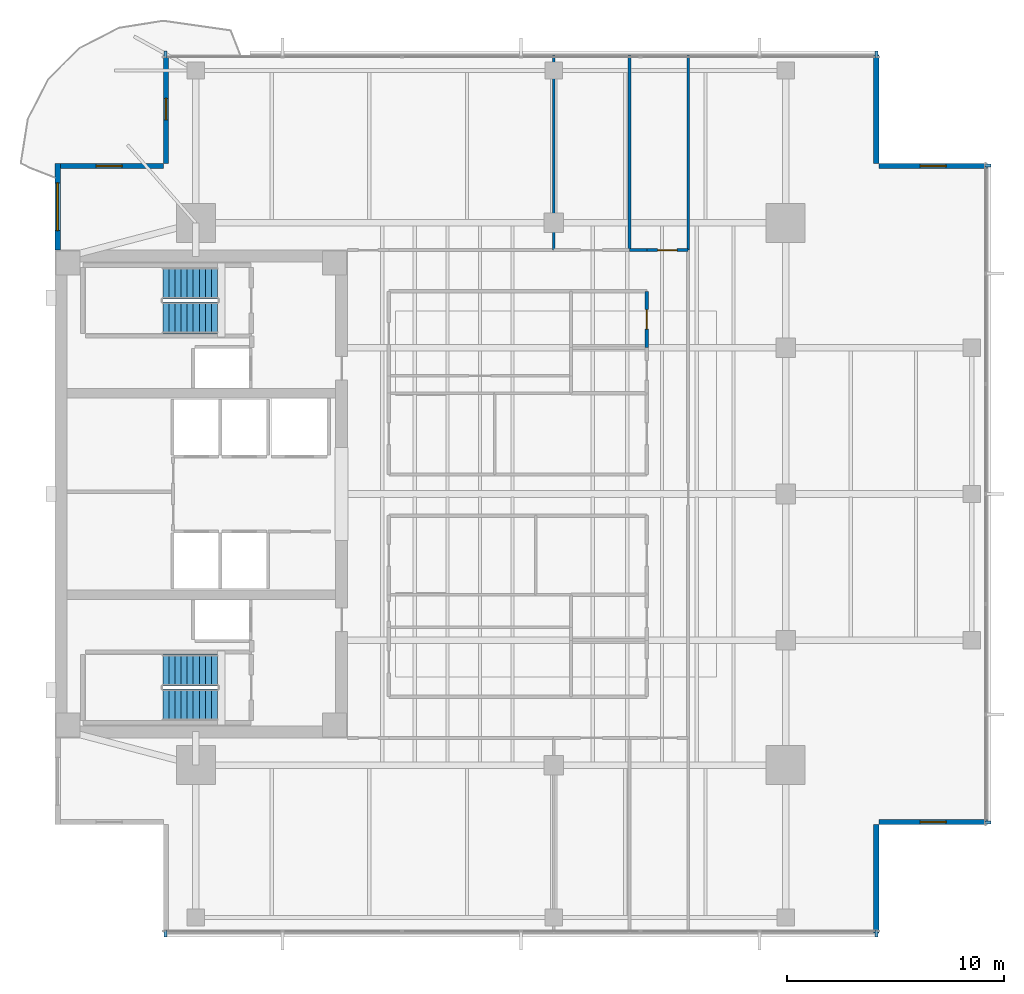
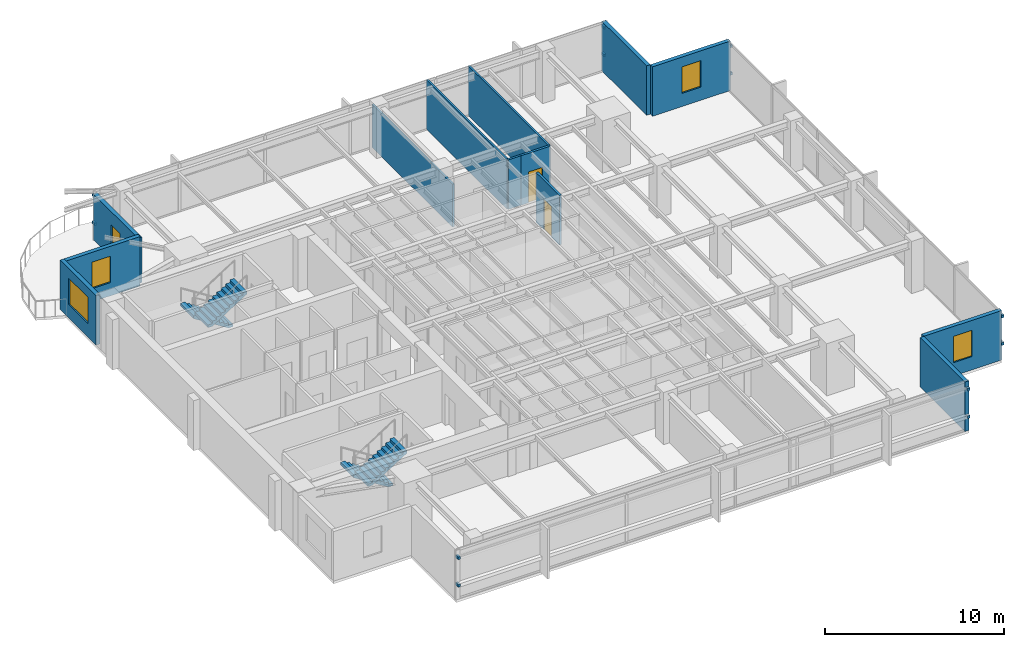
# One storey, part 10 of 15: 13 walls, 12 discrete accessories, 4 stair flights, 4 windows, 3 doors, 7 openings, 2 elements without a shape of their own.
"""IFC4 building model written with IfcOpenShell, lengths in metres."""

from ifc_helpers import new_model, si_unit, direction, frame, frame_2d, origin, origin_2d, place, context, subcontext, project, spatial, polyline, rectangle, outline, extrude, material, layer, layer_set, type_object, element, fill, aggregate, save


model = new_model("IFC4")

# Units and contexts
model_context = context("Model", 3, precision=1e-05, world=origin(), true_north=direction((0.0, 1.0)))
body_context = subcontext(model_context, "Body", "Model", "MODEL_VIEW")
ifc_project = project(units=[si_unit("LENGTHUNIT", "METRE"), si_unit("AREAUNIT", "SQUARE_METRE"), si_unit("VOLUMEUNIT", "CUBIC_METRE"), si_unit("PLANEANGLEUNIT", "RADIAN"), si_unit("MASSUNIT", "GRAM", prefix="KILO")], contexts=[model_context])

# Site, building, storey
site_placement = place(None, origin())
site = spatial("IfcSite", under=ifc_project, at=site_placement, CompositionType="ELEMENT")
building_placement = place(site_placement, origin())
building = spatial("IfcBuilding", under=site, at=building_placement, Name="Kinhvarn Gate Tower", CompositionType="ELEMENT")
storey_placement = place(building_placement, frame((0.0, 0.0, 220.0)))
storey = spatial("IfcBuildingStorey", under=building, at=storey_placement, Name="L58", CompositionType="ELEMENT", Elevation=220.0)

# Wall, opening, window
ifc_material_1 = material(Name="Fired architectural terracotta", Category="masonry")
ifc_layer_1 = layer(ifc_material_1, 0.25)
ifc_layer_set_1 = layer_set([ifc_layer_1], Name="Fired architectural terracotta")
wall_type_1 = type_object("IfcWallType", Name="WL-EXT-250", PredefinedType="SOLIDWALL", material=ifc_layer_set_1)
wall_1_placement = place(storey_placement, frame((4.625, 40.5, 0.0), z_axis=(0.0, 0.0, 1.0), x_axis=(0.0, -1.0, 0.0)))
wall_1 = element("IfcWall", 1, at=wall_1_placement, inside=storey, type_object=wall_type_1, Name="Exterior Solidwall Wall EW-250 (L58 West-North)", PredefinedType="SOLIDWALL", context=body_context, shape_type="SweptSolid", body=[
    extrude(rectangle(XDim=4.0, YDim=0.25, at=frame_2d((2.0, 0.0))), origin(), (0.0, 0.0, 1.0), 3.3701171875),
])
opening_1_placement = place(wall_1_placement, frame((0.89990234375, 0.0, 0.89990234375)))
opening_1 = element("IfcOpeningElement", 2, at=opening_1_placement, cuts=wall_1, Name="Opening WN-01", PredefinedType="OPENING", context=body_context, shape_type="SweptSolid", body=[
    extrude(rectangle(XDim=2.199951171875, YDim=1.800048828125, at=frame_2d((1.10009765625, 0.89990234375))), frame((0.0, 0.135009765625, 0.0), z_axis=(0.0, -1.0, 0.0), x_axis=(1.0, 0.0, 0.0)), (0.0, 0.0, 1.0), 0.27001953125),
])
ifc_material_2 = material(Name="Clear low-e double glazing", Category="glass")
window_type_1 = type_object("IfcWindowType", Name="WIN-RIB-2200", PartitioningType="SINGLE_PANEL", PredefinedType="WINDOW", material=ifc_material_2)
window_1_placement = place(opening_1_placement, origin())
window_1 = element("IfcWindow", 3, at=window_1_placement, inside=storey, type_object=window_type_1, Name="West Flank Double-Glazed Ribbon Window 2200x1800 mm (L58)", OverallHeight=1.800048828125, OverallWidth=2.199951171875, PartitioningType="SINGLE_PANEL", PredefinedType="WINDOW", context=body_context, shape_type="SweptSolid", body=[
    extrude(rectangle(XDim=2.199951171875, YDim=1.800048828125, at=frame_2d((1.10009765625, 0.89990234375))), frame((0.0, 0.030029296875, 0.0), z_axis=(0.0, -1.0, 0.0), x_axis=(1.0, 0.0, 0.0)), (0.0, 0.0, 1.0), 0.06005859375),
])
fill(opening_1, window_1)

# Wall
wall_2_placement = place(storey_placement, frame((42.375, 5.0, 0.0), z_axis=(0.0, 0.0, 1.0), x_axis=(0.0, 1.0, 0.0)))
element("IfcWall", 4, at=wall_2_placement, inside=storey, type_object=wall_type_1, Name="Exterior Solidwall Wall EW-250 (L58 SE-Notch-1)", PredefinedType="SOLIDWALL", context=body_context, shape_type="SweptSolid", body=[
    extrude(rectangle(XDim=5.0, YDim=0.25, at=frame_2d((2.5, 0.0))), origin(), (0.0, 0.0, 1.0), 3.3701171875),
])

# Wall, opening, window
wall_3_placement = place(storey_placement, frame((42.5, 10.125, 0.0), z_axis=(0.0, 0.0, 1.0), x_axis=(1.0, 0.0, 0.0)))
wall_3 = element("IfcWall", 5, at=wall_3_placement, inside=storey, type_object=wall_type_1, Name="Exterior Solidwall Wall EW-250 (L58 SE-Notch-2)", PredefinedType="SOLIDWALL", context=body_context, shape_type="SweptSolid", body=[
    extrude(rectangle(XDim=5.0, YDim=0.25, at=frame_2d((2.5, 0.0))), origin(), (0.0, 0.0, 1.0), 3.3701171875),
])
opening_2_placement = place(wall_3_placement, frame((1.89990234375, 0.0, 0.89990234375)))
opening_2 = element("IfcOpeningElement", 6, at=opening_2_placement, cuts=wall_3, Name="Opening WN-02", PredefinedType="OPENING", context=body_context, shape_type="SweptSolid", body=[
    extrude(rectangle(XDim=1.199951171875, YDim=1.800048828125, at=frame_2d((0.60009765625, 0.89990234375))), frame((0.0, 0.135009765625, 0.0), z_axis=(0.0, -1.0, 0.0), x_axis=(1.0, 0.0, 0.0)), (0.0, 0.0, 1.0), 0.27001953125),
])
window_type_2 = type_object("IfcWindowType", Name="WIN-NTC-1200", PartitioningType="SINGLE_PANEL", PredefinedType="WINDOW", material=ifc_material_2)
window_2_placement = place(opening_2_placement, origin())
window_2 = element("IfcWindow", 7, at=window_2_placement, inside=storey, type_object=window_type_2, Name="Recessed Corner Notch Punched Window 1200x1800 mm (L58)", OverallHeight=1.800048828125, OverallWidth=1.199951171875, PartitioningType="SINGLE_PANEL", PredefinedType="WINDOW", context=body_context, shape_type="SweptSolid", body=[
    extrude(rectangle(XDim=1.199951171875, YDim=1.800048828125, at=frame_2d((0.60009765625, 0.89990234375))), frame((0.0, 0.030029296875, 0.0), z_axis=(0.0, -1.0, 0.0), x_axis=(1.0, 0.0, 0.0)), (0.0, 0.0, 1.0), 0.06005859375),
])
fill(opening_2, window_2)

wall_4_placement = place(storey_placement, frame((47.5, 40.375, 0.0), z_axis=(0.0, 0.0, 1.0), x_axis=(-1.0, 0.0, 0.0)))
wall_4 = element("IfcWall", 8, at=wall_4_placement, inside=storey, type_object=wall_type_1, Name="Exterior Solidwall Wall EW-250 (L58 NE-Notch-1)", PredefinedType="SOLIDWALL", context=body_context, shape_type="SweptSolid", body=[
    extrude(rectangle(XDim=5.0, YDim=0.25, at=frame_2d((2.5, 0.0))), origin(), (0.0, 0.0, 1.0), 3.3701171875),
])
opening_3_placement = place(wall_4_placement, frame((1.89990234375, 0.0, 0.89990234375)))
opening_3 = element("IfcOpeningElement", 9, at=opening_3_placement, cuts=wall_4, Name="Opening WN-02", PredefinedType="OPENING", context=body_context, shape_type="SweptSolid", body=[
    extrude(rectangle(XDim=1.199951171875, YDim=1.800048828125, at=frame_2d((0.60009765625, 0.89990234375))), frame((0.0, 0.135009765625, 0.0), z_axis=(0.0, -1.0, 0.0), x_axis=(1.0, 0.0, 0.0)), (0.0, 0.0, 1.0), 0.27001953125),
])
window_3_placement = place(opening_3_placement, origin())
window_3 = element("IfcWindow", 10, at=window_3_placement, inside=storey, type_object=window_type_2, Name="Recessed Corner Notch Punched Window 1200x1800 mm (L58)", OverallHeight=1.800048828125, OverallWidth=1.199951171875, PartitioningType="SINGLE_PANEL", PredefinedType="WINDOW", context=body_context, shape_type="SweptSolid", body=[
    extrude(rectangle(XDim=1.199951171875, YDim=1.800048828125, at=frame_2d((0.60009765625, 0.89990234375))), frame((0.0, 0.030029296875, 0.0), z_axis=(0.0, -1.0, 0.0), x_axis=(1.0, 0.0, 0.0)), (0.0, 0.0, 1.0), 0.06005859375),
])
fill(opening_3, window_3)

# Wall
wall_5_placement = place(storey_placement, frame((42.375, 40.5, 0.0), z_axis=(0.0, 0.0, 1.0), x_axis=(0.0, 1.0, 0.0)))
element("IfcWall", 11, at=wall_5_placement, inside=storey, type_object=wall_type_1, Name="Exterior Solidwall Wall EW-250 (L58 NE-Notch-2)", PredefinedType="SOLIDWALL", context=body_context, shape_type="SweptSolid", body=[
    extrude(rectangle(XDim=5.0, YDim=0.25, at=frame_2d((2.5, 0.0))), origin(), (0.0, 0.0, 1.0), 3.3701171875),
])

# Wall, opening, door
wall_6_placement = place(storey_placement, frame((9.625, 45.5, 0.0), z_axis=(0.0, 0.0, 1.0), x_axis=(0.0, -1.0, 0.0)))
wall_6 = element("IfcWall", 12, at=wall_6_placement, inside=storey, type_object=wall_type_1, Name="Exterior Solidwall Wall EW-250 (L58 NW-Notch-Door)", PredefinedType="SOLIDWALL", context=body_context, shape_type="SweptSolid", body=[
    extrude(rectangle(XDim=5.0, YDim=0.25, at=frame_2d((2.5, 0.0))), origin(), (0.0, 0.0, 1.0), 3.10009765625),
])
opening_4_placement = place(wall_6_placement, frame((2.0, 0.0, 0.0)))
opening_4 = element("IfcOpeningElement", 13, at=opening_4_placement, cuts=wall_6, Name="Opening BD-01", PredefinedType="OPENING", context=body_context, shape_type="SweptSolid", body=[
    extrude(rectangle(XDim=1.0, YDim=2.199951171875, at=frame_2d((0.5, 1.10009765625))), frame((0.0, 0.135009765625, 0.0), z_axis=(0.0, -1.0, 0.0), x_axis=(1.0, 0.0, 0.0)), (0.0, 0.0, 1.0), 0.27001953125),
])
door_type_1 = type_object("IfcDoorType", Name="DR-BAL-1000", OperationType="NOTDEFINED", PredefinedType="DOOR", material=ifc_material_2)
door_1_placement = place(opening_4_placement, frame((1.0, 0.0, 0.0), z_axis=(0.0, 0.0, 1.0), x_axis=(-1.0, 0.0, 0.0)))
door_1 = element("IfcDoor", 14, at=door_1_placement, inside=storey, type_object=door_type_1, Name="S-Carve Balcony Door BD-01 (L58)", OperationType="SINGLE_SWING_RIGHT", OverallHeight=2.199951171875, OverallWidth=1.0, PredefinedType="DOOR", context=body_context, shape_type="SweptSolid", body=[
    extrude(rectangle(XDim=1.0, YDim=2.199951171875, at=frame_2d((0.5, 1.10009765625))), frame((0.0, 0.02490234375, 0.0), z_axis=(0.0, -1.0, 0.0), x_axis=(1.0, 0.0, 0.0)), (0.0, 0.0, 1.0), 0.050048828125),
])
fill(opening_4, door_1)

# Wall, opening, window
wall_7_placement = place(storey_placement, frame((9.5, 40.375, 0.0), z_axis=(0.0, 0.0, 1.0), x_axis=(-1.0, 0.0, 0.0)))
wall_7 = element("IfcWall", 15, at=wall_7_placement, inside=storey, type_object=wall_type_1, Name="Exterior Solidwall Wall EW-250 (L58 NW-Notch-Win)", PredefinedType="SOLIDWALL", context=body_context, shape_type="SweptSolid", body=[
    extrude(rectangle(XDim=5.0, YDim=0.25, at=frame_2d((2.5, 0.0))), origin(), (0.0, 0.0, 1.0), 3.3701171875),
])
opening_5_placement = place(wall_7_placement, frame((1.89990234375, 0.0, 0.89990234375)))
opening_5 = element("IfcOpeningElement", 16, at=opening_5_placement, cuts=wall_7, Name="Opening WN-02", PredefinedType="OPENING", context=body_context, shape_type="SweptSolid", body=[
    extrude(rectangle(XDim=1.199951171875, YDim=1.800048828125, at=frame_2d((0.60009765625, 0.89990234375))), frame((0.0, 0.135009765625, 0.0), z_axis=(0.0, -1.0, 0.0), x_axis=(1.0, 0.0, 0.0)), (0.0, 0.0, 1.0), 0.27001953125),
])
window_4_placement = place(opening_5_placement, origin())
window_4 = element("IfcWindow", 17, at=window_4_placement, inside=storey, type_object=window_type_2, Name="Recessed Corner Notch Punched Window 1200x1800 mm (L58)", OverallHeight=1.800048828125, OverallWidth=1.199951171875, PartitioningType="SINGLE_PANEL", PredefinedType="WINDOW", context=body_context, shape_type="SweptSolid", body=[
    extrude(rectangle(XDim=1.199951171875, YDim=1.800048828125, at=frame_2d((0.60009765625, 0.89990234375))), frame((0.0, 0.030029296875, 0.0), z_axis=(0.0, -1.0, 0.0), x_axis=(1.0, 0.0, 0.0)), (0.0, 0.0, 1.0), 0.06005859375),
])
fill(opening_5, window_4)

# Wall, opening, door
ifc_material_3 = material(Name="Gypsum acoustic partition board")
ifc_layer_2 = layer(ifc_material_3, 0.14990234375)
ifc_layer_set_2 = layer_set([ifc_layer_2], Name="Gypsum acoustic partition board")
wall_type_2 = type_object("IfcWallType", Name="WL-PLM-150F", PredefinedType="PLUMBINGWALL", material=ifc_layer_set_2)
wall_8_placement = place(storey_placement, frame((31.800048828125, 32.0, 0.0), z_axis=(0.0, 0.0, 1.0), x_axis=(0.0, 1.0, 0.0)))
wall_8 = element("IfcWall", 18, at=wall_8_placement, inside=storey, type_object=wall_type_2, Name="Interior Partition PLW-150F (L58)", PredefinedType="PLUMBINGWALL", context=body_context, shape_type="SweptSolid", body=[
    extrude(rectangle(XDim=2.60009765625, YDim=0.14990234375, at=frame_2d((1.300048828125, 0.0))), origin(), (0.0, 0.0, 1.0), 3.3701171875),
])
opening_6_placement = place(wall_8_placement, frame((0.85009765625, 0.0, 0.0)))
opening_6 = element("IfcOpeningElement", 19, at=opening_6_placement, cuts=wall_8, Name="Opening FD-04", PredefinedType="OPENING", context=body_context, shape_type="SweptSolid", body=[
    extrude(rectangle(XDim=0.89990234375, YDim=2.10009765625, at=frame_2d((0.449951171875, 1.050048828125))), frame((0.0, 0.0849609375, 0.0), z_axis=(0.0, -1.0, 0.0), x_axis=(1.0, 0.0, 0.0)), (0.0, 0.0, 1.0), 0.169921875),
])
ifc_material_4 = material(Name="Anodised aluminium AW-6063", Category="aluminium")
door_type_2 = type_object("IfcDoorType", Name="DR-FD-900", OperationType="NOTDEFINED", PredefinedType="DOOR", material=ifc_material_4)
door_2_placement = place(opening_6_placement, origin())
door_2 = element("IfcDoor", 20, at=door_2_placement, inside=storey, type_object=door_type_2, Name="Rated Riser & Service Closet Fire Door 900x2100 mm (L58)", OperationType="SINGLE_SWING_LEFT", OverallHeight=2.10009765625, OverallWidth=0.89990234375, PredefinedType="DOOR", context=body_context, shape_type="SweptSolid", body=[
    extrude(rectangle(XDim=0.89990234375, YDim=2.10009765625, at=frame_2d((0.449951171875, 1.050048828125))), frame((0.0, 0.02490234375, 0.0), z_axis=(0.0, -1.0, 0.0), x_axis=(1.0, 0.0, 0.0)), (0.0, 0.0, 1.0), 0.050048828125),
])
fill(opening_6, door_2)

# Walls
ifc_layer_3 = layer(ifc_material_3, 0.1201171875)
ifc_layer_set_3 = layer_set([ifc_layer_3], Name="Gypsum acoustic partition board")
wall_type_3 = type_object("IfcWallType", Name="WL-PRT-120", PredefinedType="PARTITIONING", material=ifc_layer_set_3)
wall_9_placement = place(storey_placement, frame((27.5, 36.5, 0.0), z_axis=(0.0, 0.0, 1.0), x_axis=(0.0, 1.0, 0.0)))
element("IfcWall", 21, at=wall_9_placement, inside=storey, type_object=wall_type_3, Name="Interior Partition PW-120 (L58)", PredefinedType="PARTITIONING", context=body_context, shape_type="SweptSolid", body=[
    extrude(rectangle(XDim=8.989990234375, YDim=0.1201171875, at=frame_2d((4.4951171875, 0.0))), origin(), (0.0, 0.0, 1.0), 2.919921875),
])
for number, where, z_axis, x_axis, name in (
    (22, (31.0, 36.5, 0.0), (0.0, 0.0, 1.0), (0.0, 1.0, 0.0), "Interior Partition PW-120 (L58)"),
    (23, (33.699951171875, 36.5, 0.0), (0.0, 0.0, 1.0), (0.0, 1.0, 0.0), "Interior Partition PW-120 (L58)"),
):
    element("IfcWall", number, at=place(storey_placement, frame(where, z_axis=z_axis, x_axis=x_axis)), inside=storey, type_object=wall_type_3, Name=name, PredefinedType="PARTITIONING", context=body_context, shape_type="SweptSolid", body=[
        extrude(rectangle(XDim=8.989990234375, YDim=0.1201171875, at=frame_2d((4.4951171875, 0.0))), origin(), (0.0, 0.0, 1.0), 3.3701171875),
    ])

# Wall, opening, door
ifc_layer_4 = layer(ifc_material_3, 0.14990234375)
ifc_layer_set_4 = layer_set([ifc_layer_4], Name="Gypsum acoustic partition board")
wall_type_4 = type_object("IfcWallType", Name="WL-PRT-150F", PredefinedType="PARTITIONING", material=ifc_layer_set_4)
wall_10_placement = place(storey_placement, frame((31.800048828125, 36.5, 0.0), z_axis=(0.0, 0.0, 1.0), x_axis=(1.0, 0.0, 0.0)))
wall_10 = element("IfcWall", 24, at=wall_10_placement, inside=storey, type_object=wall_type_4, Name="Interior Partition PW-150F (L58)", PredefinedType="PARTITIONING", context=body_context, shape_type="SweptSolid", body=[
    extrude(rectangle(XDim=1.89990234375, YDim=0.14990234375, at=frame_2d((0.949951171875, 0.0))), origin(), (0.0, 0.0, 1.0), 3.3701171875),
])
opening_7_placement = place(wall_10_placement, frame((0.5, 0.0, 0.0)))
opening_7 = element("IfcOpeningElement", 25, at=opening_7_placement, cuts=wall_10, Name="Opening ID-03", PredefinedType="OPENING", context=body_context, shape_type="SweptSolid", body=[
    extrude(rectangle(XDim=0.89990234375, YDim=2.10009765625, at=frame_2d((0.449951171875, 1.050048828125))), frame((0.0, 0.0849609375, 0.0), z_axis=(0.0, -1.0, 0.0), x_axis=(1.0, 0.0, 0.0)), (0.0, 0.0, 1.0), 0.169921875),
])
door_type_3 = type_object("IfcDoorType", Name="DR-INT-900", OperationType="NOTDEFINED", PredefinedType="DOOR", material=ifc_material_4)
door_3_placement = place(opening_7_placement, origin())
door_3 = element("IfcDoor", 26, at=door_3_placement, inside=storey, type_object=door_type_3, Name="Cellular Office & Restroom Door 900x2100 mm (L58)", OperationType="SINGLE_SWING_LEFT", OverallHeight=2.10009765625, OverallWidth=0.89990234375, PredefinedType="DOOR", context=body_context, shape_type="SweptSolid", body=[
    extrude(rectangle(XDim=0.89990234375, YDim=2.10009765625, at=frame_2d((0.449951171875, 1.050048828125))), frame((0.0, 0.02490234375, 0.0), z_axis=(0.0, -1.0, 0.0), x_axis=(1.0, 0.0, 0.0)), (0.0, 0.0, 1.0), 0.050048828125),
])
fill(opening_7, door_3)

# Wall
wall_11_placement = place(storey_placement, frame((31.0, 36.5, 0.0), z_axis=(0.0, 0.0, 1.0), x_axis=(1.0, 0.0, 0.0)))
element("IfcWall", 27, at=wall_11_placement, inside=storey, type_object=wall_type_4, Name="Interior Partition PW-150F (L58)", PredefinedType="PARTITIONING", context=body_context, shape_type="SweptSolid", body=[
    extrude(rectangle(XDim=0.800048828125, YDim=0.14990234375, at=frame_2d((0.39990234375, 0.0))), origin(), (0.0, 0.0, 1.0), 3.3701171875),
])

# Stair, stair flights
ifc_material_5 = material(Name="Concrete C40/50", Category="concrete")
stair_type = type_object("IfcStairType", Name="STR-DLG-178", PredefinedType="HALF_TURN_STAIR", material=ifc_material_5)
stair_1_placement = place(storey_placement, origin())
stair_1 = element("IfcStair", 28, at=stair_1_placement, inside=storey, type_object=stair_type, Name="L58 Core Smokeproof Exit Stair ST1", PredefinedType="HALF_TURN_STAIR")
stair_flight_type = type_object("IfcStairFlightType", Name="STF-DLG-178", PredefinedType="STRAIGHT", material=ifc_material_5)
stair_flight_1_placement = place(storey_placement, frame((12.0, 17.125, 0.0), z_axis=(0.0, 0.0, 1.0), x_axis=(-1.0, 0.0, 0.0)))
stair_flight_1 = element("IfcStairFlight", 29, at=stair_flight_1_placement, type_object=stair_flight_type, Name="ST1 flight 1", NumberOfRisers=10, NumberOfTreads=9, PredefinedType="STRAIGHT", RiserHeight=0.1775, TreadLength=0.28, context=body_context, shape_type="SweptSolid", body=[
    extrude(outline(polyline([(0.0, 0.0), (0.0, 0.177490234375), (0.280029296875, 0.177490234375), (0.280029296875, 0.35498046875), (0.56005859375, 0.35498046875), (0.56005859375, 0.532470703125), (0.840087890625, 0.532470703125), (0.840087890625, 0.7099609375), (1.1201171875, 0.7099609375), (1.1201171875, 0.887451171875), (1.39990234375, 0.887451171875), (1.39990234375, 1.06494140625), (1.679931640625, 1.06494140625), (1.679931640625, 1.242431640625), (1.9599609375, 1.242431640625), (1.9599609375, 1.419921875), (2.239990234375, 1.419921875), (2.239990234375, 1.597412109375), (2.52001953125, 1.597412109375), (2.52001953125, 1.77490234375), (2.52001953125, 1.419921875), (0.280029296875, 0.0), (0.0, 0.0)])), frame((0.0, 0.72509765625, 0.0), z_axis=(0.0, -1.0, 0.0), x_axis=(1.0, 0.0, 0.0)), (0.0, 0.0, 1.0), 1.449951171875),
])
stair_flight_2_placement = place(storey_placement, frame((9.47998046875, 15.52490234375, 1.77490234375), z_axis=(0.0, 0.0, 1.0), x_axis=(1.0, 0.0, 0.0)))
stair_flight_2 = element("IfcStairFlight", 30, at=stair_flight_2_placement, type_object=stair_flight_type, Name="ST1 flight 2", NumberOfRisers=10, NumberOfTreads=9, PredefinedType="STRAIGHT", RiserHeight=0.1775, TreadLength=0.28, context=body_context, shape_type="SweptSolid", body=[
    extrude(outline(polyline([(0.0, 0.0), (0.0, 0.177490234375), (0.280029296875, 0.177490234375), (0.280029296875, 0.35498046875), (0.56005859375, 0.35498046875), (0.56005859375, 0.532470703125), (0.840087890625, 0.532470703125), (0.840087890625, 0.7099609375), (1.1201171875, 0.7099609375), (1.1201171875, 0.887451171875), (1.39990234375, 0.887451171875), (1.39990234375, 1.06494140625), (1.679931640625, 1.06494140625), (1.679931640625, 1.242431640625), (1.9599609375, 1.242431640625), (1.9599609375, 1.419921875), (2.239990234375, 1.419921875), (2.239990234375, 1.597412109375), (2.52001953125, 1.597412109375), (2.52001953125, 1.77490234375), (2.52001953125, 1.419921875), (0.280029296875, 0.0), (0.0, 0.0)])), frame((0.0, 0.72509765625, 0.0), z_axis=(0.0, -1.0, 0.0), x_axis=(1.0, 0.0, 0.0)), (0.0, 0.0, 1.0), 1.449951171875),
])
aggregate(stair_1, [stair_flight_1, stair_flight_2])

stair_2_placement = place(storey_placement, origin())
stair_2 = element("IfcStair", 31, at=stair_2_placement, inside=storey, type_object=stair_type, Name="L58 Core Smokeproof Exit Stair ST2", PredefinedType="HALF_TURN_STAIR")
stair_flight_3_placement = place(storey_placement, frame((12.0, 34.97509765625, 0.0), z_axis=(0.0, 0.0, 1.0), x_axis=(-1.0, 0.0, 0.0)))
stair_flight_3 = element("IfcStairFlight", 32, at=stair_flight_3_placement, type_object=stair_flight_type, Name="ST2 flight 1", NumberOfRisers=10, NumberOfTreads=9, PredefinedType="STRAIGHT", RiserHeight=0.1775, TreadLength=0.28, context=body_context, shape_type="SweptSolid", body=[
    extrude(outline(polyline([(0.0, 0.0), (0.0, 0.177490234375), (0.280029296875, 0.177490234375), (0.280029296875, 0.35498046875), (0.56005859375, 0.35498046875), (0.56005859375, 0.532470703125), (0.840087890625, 0.532470703125), (0.840087890625, 0.7099609375), (1.1201171875, 0.7099609375), (1.1201171875, 0.887451171875), (1.39990234375, 0.887451171875), (1.39990234375, 1.06494140625), (1.679931640625, 1.06494140625), (1.679931640625, 1.242431640625), (1.9599609375, 1.242431640625), (1.9599609375, 1.419921875), (2.239990234375, 1.419921875), (2.239990234375, 1.597412109375), (2.52001953125, 1.597412109375), (2.52001953125, 1.77490234375), (2.52001953125, 1.419921875), (0.280029296875, 0.0), (0.0, 0.0)])), frame((0.0, 0.72509765625, 0.0), z_axis=(0.0, -1.0, 0.0), x_axis=(1.0, 0.0, 0.0)), (0.0, 0.0, 1.0), 1.449951171875),
])
stair_flight_4_placement = place(storey_placement, frame((9.47998046875, 33.375, 1.77490234375), z_axis=(0.0, 0.0, 1.0), x_axis=(1.0, 0.0, 0.0)))
stair_flight_4 = element("IfcStairFlight", 33, at=stair_flight_4_placement, type_object=stair_flight_type, Name="ST2 flight 2", NumberOfRisers=10, NumberOfTreads=9, PredefinedType="STRAIGHT", RiserHeight=0.1775, TreadLength=0.28, context=body_context, shape_type="SweptSolid", body=[
    extrude(outline(polyline([(0.0, 0.0), (0.0, 0.177490234375), (0.280029296875, 0.177490234375), (0.280029296875, 0.35498046875), (0.56005859375, 0.35498046875), (0.56005859375, 0.532470703125), (0.840087890625, 0.532470703125), (0.840087890625, 0.7099609375), (1.1201171875, 0.7099609375), (1.1201171875, 0.887451171875), (1.39990234375, 0.887451171875), (1.39990234375, 1.06494140625), (1.679931640625, 1.06494140625), (1.679931640625, 1.242431640625), (1.9599609375, 1.242431640625), (1.9599609375, 1.419921875), (2.239990234375, 1.419921875), (2.239990234375, 1.597412109375), (2.52001953125, 1.597412109375), (2.52001953125, 1.77490234375), (2.52001953125, 1.419921875), (0.280029296875, 0.0), (0.0, 0.0)])), frame((0.0, 0.72509765625, 0.0), z_axis=(0.0, -1.0, 0.0), x_axis=(1.0, 0.0, 0.0)), (0.0, 0.0, 1.0), 1.449951171875),
])
aggregate(stair_2, [stair_flight_3, stair_flight_4])

# Discrete accessories
discrete_accessory_type = type_object("IfcDiscreteAccessoryType", Name="ACC-BRK-01", PredefinedType="BRACKET", material=ifc_material_4)
for number, where, z_axis, x_axis, name in (
    (34, (9.60009765625, 4.969970703125, 0.9599609375), (0.0, 0.0, 1.0), (1.0, 0.0, 0.0), "Baguette Support Bracket BK-01 (L58)"),
    (35, (9.60009765625, 4.969970703125, 2.830078125), (0.0, 0.0, 1.0), (1.0, 0.0, 0.0), "Baguette Support Bracket BK-01 (L58)"),
    (36, (42.39990234375, 4.969970703125, 0.9599609375), (0.0, 0.0, 1.0), (1.0, 0.0, 0.0), "Baguette Support Bracket BK-01 (L58)"),
    (37, (42.39990234375, 4.969970703125, 2.830078125), (0.0, 0.0, 1.0), (1.0, 0.0, 0.0), "Baguette Support Bracket BK-01 (L58)"),
    (38, (42.39990234375, 45.530029296875, 0.9599609375), (0.0, 0.0, 1.0), (-1.0, 0.0, 0.0), "Baguette Support Bracket BK-01 (L58)"),
    (39, (42.39990234375, 45.530029296875, 2.830078125), (0.0, 0.0, 1.0), (-1.0, 0.0, 0.0), "Baguette Support Bracket BK-01 (L58)"),
    (40, (9.60009765625, 45.530029296875, 0.9599609375), (0.0, 0.0, 1.0), (-1.0, 0.0, 0.0), "Baguette Support Bracket BK-01 (L58)"),
    (41, (9.60009765625, 45.530029296875, 2.830078125), (0.0, 0.0, 1.0), (-1.0, 0.0, 0.0), "Baguette Support Bracket BK-01 (L58)"),
    (42, (47.530029296875, 10.10009765625, 0.9599609375), (0.0, 0.0, 1.0), (0.0, 1.0, 0.0), "Baguette Support Bracket BK-01 (L58)"),
    (43, (47.530029296875, 10.10009765625, 2.830078125), (0.0, 0.0, 1.0), (0.0, 1.0, 0.0), "Baguette Support Bracket BK-01 (L58)"),
    (44, (47.530029296875, 40.39990234375, 0.9599609375), (0.0, 0.0, 1.0), (0.0, 1.0, 0.0), "Baguette Support Bracket BK-01 (L58)"),
    (45, (47.530029296875, 40.39990234375, 2.830078125), (0.0, 0.0, 1.0), (0.0, 1.0, 0.0), "Baguette Support Bracket BK-01 (L58)"),
):
    element("IfcDiscreteAccessory", number, at=place(storey_placement, frame(where, z_axis=z_axis, x_axis=x_axis)), inside=storey, type_object=discrete_accessory_type, Name=name, PredefinedType="BRACKET", context=body_context, shape_type="SweptSolid", body=[
        extrude(rectangle(XDim=0.139892578125, YDim=0.280029296875, at=origin_2d()), origin(), (0.0, 0.0, 1.0), 0.179931640625),
    ])

save(model, "model.ifc")
